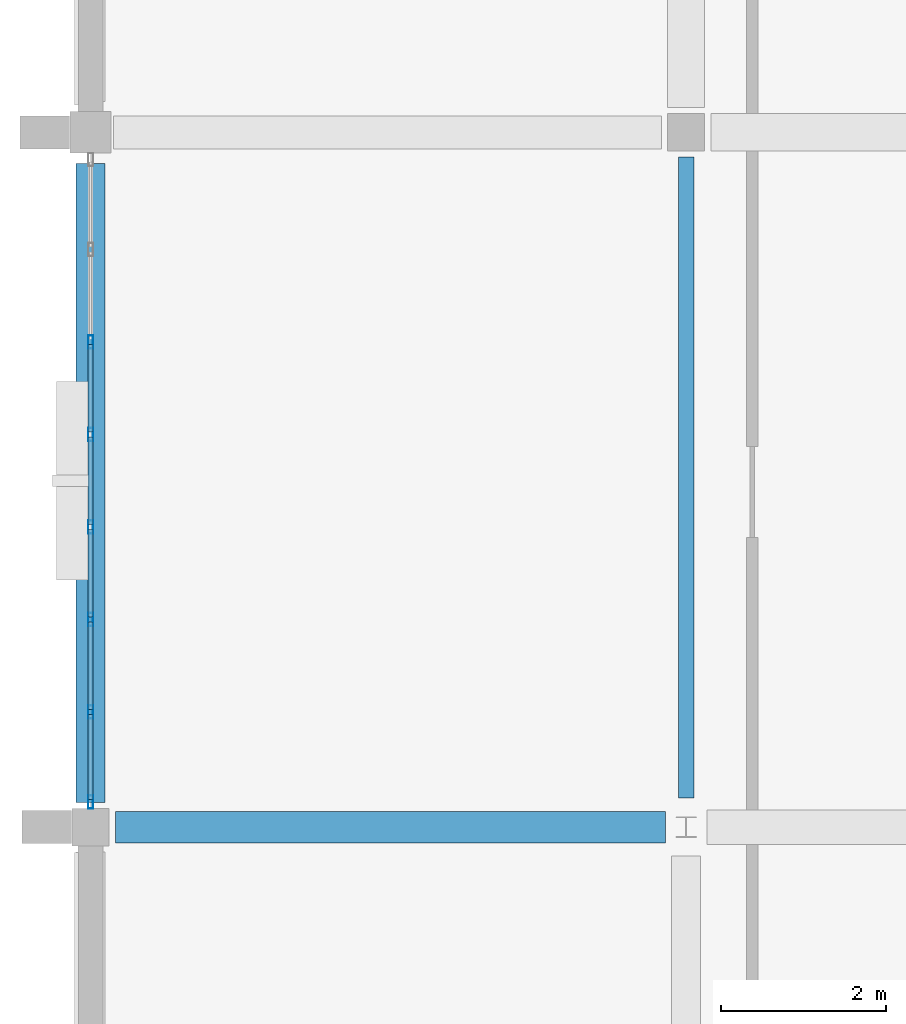
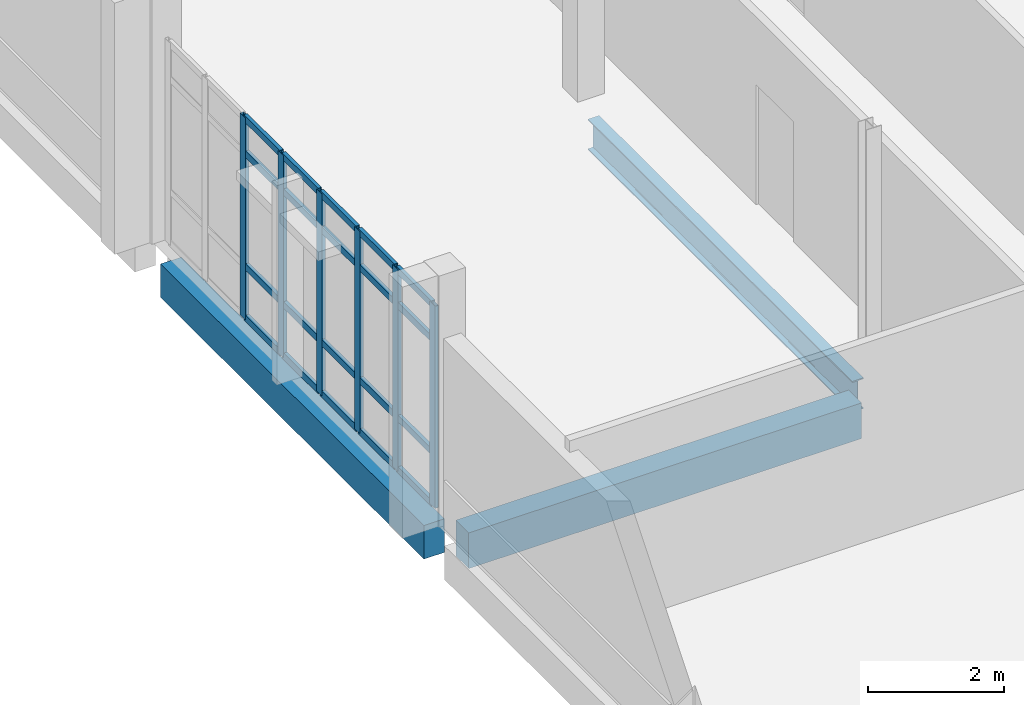
# One storey, part 20 of 62: 26 members, 3 beams, 1 element without a shape of its own.
"""IFC4 building model written with IfcOpenShell, lengths in metres."""

import ifcopenshell
import ifcopenshell.guid

model = None  # the IFC model being written
_history = None  # IfcOwnerHistory: only IFC2X3 demands one
_inside = {}  # id of a spatial element -> (the spatial element, [elements in it])
_under = {}  # id of a project, library or spatial element -> (it, [spatial elements below it])
_declared = {}  # id of a project -> (the project, [libraries it declares])
_typed = {}  # id of a type object -> (the type object, [elements of that type])
_made_of = {}  # id of a material, layer set ... -> (it, [elements and type objects made of it])


def new_model(schema):
    """Start an empty IFC model of exactly this schema.

    Asked for "IFC4X3", IfcOpenShell would pick the latest addendum, in which some entities
    have other attributes; the version numbers below select the first issue.
    IFC2X3 requires an IfcOwnerHistory on every rooted entity: one is made here for all.
    """
    global model, _history
    if schema == "IFC4X3":
        model = ifcopenshell.file(schema_version=(4, 3, 0, 0))
    else:
        model = ifcopenshell.file(schema=schema)
    _inside.clear()
    _under.clear()
    _declared.clear()
    _typed.clear()
    _made_of.clear()
    _history = None
    if model.schema == "IFC2X3":
        org = make("IfcOrganization", Name="unknown")
        user = make(
            "IfcPersonAndOrganization",
            ThePerson=make("IfcPerson", FamilyName="unknown"),
            TheOrganization=org,
        )
        app = make(
            "IfcApplication",
            ApplicationDeveloper=org,
            Version="unknown",
            ApplicationFullName="unknown",
            ApplicationIdentifier="unknown",
        )
        _history = make(
            "IfcOwnerHistory",
            OwningUser=user,
            OwningApplication=app,
            ChangeAction="ADDED",
            CreationDate=0,
        )
    return model


def make(cls, **values):
    """One entity of the class cls with the attributes given. An attribute that is None is left unset."""
    return model.create_entity(
        cls, **{name: value for name, value in values.items() if value is not None}
    )


def rooted(cls, **values):
    """An entity with a GlobalId (a new one), such as an element, a storey or a relation."""
    return make(cls, GlobalId=ifcopenshell.guid.new(), OwnerHistory=_history, **values)


def si_unit(unit_type, name, prefix=None):
    """IfcSIUnit, for example si_unit("LENGTHUNIT", "METRE", prefix="MILLI")."""
    return make("IfcSIUnit", UnitType=unit_type, Prefix=prefix, Name=name)


def assignment(units):
    """IfcUnitAssignment: the units of a project."""
    return None if units is None else make("IfcUnitAssignment", Units=units)


def point(xyz):
    """IfcCartesianPoint."""
    return None if xyz is None else make("IfcCartesianPoint", Coordinates=xyz)


def direction(xyz):
    """IfcDirection."""
    return None if xyz is None else make("IfcDirection", DirectionRatios=xyz)


def frame(location, z_axis=None, x_axis=None):
    """IfcAxis2Placement3D, a coordinate frame: its origin and axes. An axis left out is left unset."""
    return make(
        "IfcAxis2Placement3D",
        Location=point(location),
        Axis=direction(z_axis),
        RefDirection=direction(x_axis),
    )


def frame_2d(location, x_axis=None):
    """IfcAxis2Placement2D, a coordinate frame in the plane: its origin and x axis."""
    return make(
        "IfcAxis2Placement2D", Location=point(location), RefDirection=direction(x_axis)
    )


def origin():
    """The frame at (0, 0, 0) with its axes left unset."""
    return frame((0.0, 0.0, 0.0))


def origin_2d():
    """The frame at (0, 0) in the plane with its x axis left unset."""
    return frame_2d((0.0, 0.0))


def place(relative_to, where):
    """IfcLocalPlacement: puts the frame where relative to a parent placement (None: the world)."""
    return make(
        "IfcLocalPlacement", PlacementRelTo=relative_to, RelativePlacement=where
    )


def context(
    kind, dimensions, precision=None, world=None, true_north=None, identifier=None
):
    """IfcGeometricRepresentationContext, for example the 3D "Model" context."""
    return make(
        "IfcGeometricRepresentationContext",
        ContextIdentifier=identifier,
        ContextType=kind,
        CoordinateSpaceDimension=dimensions,
        Precision=precision,
        WorldCoordinateSystem=world,
        TrueNorth=true_north,
    )


def subcontext(parent, identifier, kind, view, scale=None):
    """IfcGeometricRepresentationSubContext, for example "Body" below "Model"."""
    return make(
        "IfcGeometricRepresentationSubContext",
        ContextIdentifier=identifier,
        ContextType=kind,
        ParentContext=parent,
        TargetScale=scale,
        TargetView=view,
    )


def project(units=None, contexts=None):
    """IfcProject with its units and contexts."""
    return rooted(
        "IfcProject",
        Name="project",
        RepresentationContexts=contexts,
        UnitsInContext=assignment(units),
    )


def spatial(cls, under=None, at=None, **own):
    """A site, building, storey or space (cls), placed at a placement, below another one or the project."""
    s = rooted(cls, ObjectPlacement=at, **own)
    if under is not None:
        _under.setdefault(under.id(), (under, []))[1].append(s)
    return s


def profile(cls, at=None, kind="AREA", **sizes):
    """A parametric profile (cls). Its sizes go by their IFC names, for example OverallWidth=200.0."""
    return make(cls, ProfileType=kind, Position=at, **sizes)


def rectangle(**sizes):
    """IfcRectangleProfileDef."""
    return profile("IfcRectangleProfileDef", **sizes)


def hollow_rectangle(**sizes):
    """IfcRectangleHollowProfileDef."""
    return profile("IfcRectangleHollowProfileDef", **sizes)


def i_section(**sizes):
    """IfcIShapeProfileDef."""
    return profile("IfcIShapeProfileDef", **sizes)


def extrude(swept, where, along, depth):
    """IfcExtrudedAreaSolid: the profile swept, set in the frame where, extruded along a direction by depth."""
    return make(
        "IfcExtrudedAreaSolid",
        SweptArea=swept,
        Position=where,
        ExtrudedDirection=direction(along),
        Depth=depth,
    )


def shape(context_of_items, identifier, shape_type, items):
    """IfcShapeRepresentation: the items that make up one representation, for example the "Body"."""
    return make(
        "IfcShapeRepresentation",
        ContextOfItems=context_of_items,
        RepresentationIdentifier=identifier,
        RepresentationType=shape_type,
        Items=items,
    )


def material(Name=None, Category=None):
    """IfcMaterial."""
    return make("IfcMaterial", Name=Name, Category=Category)


def material_profile(
    of_material, cross_section, Name=None, Category=None, Priority=None
):
    """IfcMaterialProfile: a cross section and its material."""
    return make(
        "IfcMaterialProfile",
        Name=Name,
        Material=of_material,
        Profile=cross_section,
        Priority=Priority,
        Category=Category,
    )


def profile_set(profiles, Name=None, composite=None):
    """IfcMaterialProfileSet."""
    return make(
        "IfcMaterialProfileSet",
        Name=Name,
        MaterialProfiles=profiles,
        CompositeProfile=composite,
    )


def made_of(thing, what):
    """Note that an element or type object is made of a material, layer set ...; save() writes the relation."""
    if what is not None:
        _made_of.setdefault(what.id(), (what, []))[1].append(thing)
    return thing


def type_object(cls, material=None, **own):
    """A type object (cls), such as IfcWallType, which elements share."""
    return made_of(rooted(cls, **own), material)


def element(
    cls,
    number,
    at=None,
    inside=None,
    cuts=None,
    type_object=None,
    material=None,
    context=None,
    identifier="Body",
    shape_type=None,
    held_by="IfcProductDefinitionShape",
    body=None,
    shapes=None,
    **own,
):
    """One element of the class cls, such as IfcWall. Its Tag is "e" and its number.

    at: its placement. inside: the storey or other place that contains it. cuts: it is an
    opening in that element (IfcRelVoidsElement). A single representation is given by context,
    identifier, shape_type and body (its items); several are given by shapes. held_by: the class
    of the entity that holds the representations. save() writes the other relations.
    """
    e = rooted(cls, Tag="e%d" % number, ObjectPlacement=at, **own)
    if body is not None:
        shapes = [shape(context, identifier, shape_type, body)]
    if shapes is not None:
        e.Representation = make(held_by, Representations=shapes)
    if inside is not None:
        _inside.setdefault(inside.id(), (inside, []))[1].append(e)
    if cuts is not None:
        rooted(
            "IfcRelVoidsElement", RelatingBuildingElement=cuts, RelatedOpeningElement=e
        )
    if type_object is not None:
        _typed.setdefault(type_object.id(), (type_object, []))[1].append(e)
    return made_of(e, material)


def aggregate(whole, parts):
    """IfcRelAggregates: a whole, such as a stair, and the parts it consists of."""
    return rooted("IfcRelAggregates", RelatingObject=whole, RelatedObjects=parts)


def save(model, path):
    """Write the relations noted so far, then the file.

    IfcRelAggregates (storeys below a building ...), IfcRelContainedInSpatialStructure (elements
    in a storey), IfcRelDefinesByType, IfcRelAssociatesMaterial and IfcRelDeclares: one each for
    every whole, place, type object, material and project.
    """
    for whole, parts in _under.values():
        aggregate(whole, parts)
    for where, things in _inside.values():
        rooted(
            "IfcRelContainedInSpatialStructure",
            RelatedElements=things,
            RelatingStructure=where,
        )
    for kind, things in _typed.values():
        rooted("IfcRelDefinesByType", RelatedObjects=things, RelatingType=kind)
    for what, things in _made_of.values():
        rooted("IfcRelAssociatesMaterial", RelatedObjects=things, RelatingMaterial=what)
    for by, libraries in _declared.values():
        rooted("IfcRelDeclares", RelatingContext=by, RelatedDefinitions=libraries)
    model.write(path)


model = new_model("IFC4")

# Units and contexts
model_context = context("Model", 3, precision=1e-05, world=origin(), true_north=direction((0.0, 1.0)))
body_context = subcontext(model_context, "Body", "Model", "MODEL_VIEW")
ifc_project = project(units=[si_unit("LENGTHUNIT", "METRE"), si_unit("AREAUNIT", "SQUARE_METRE"), si_unit("VOLUMEUNIT", "CUBIC_METRE"), si_unit("PLANEANGLEUNIT", "RADIAN"), si_unit("MASSUNIT", "GRAM", prefix="KILO")], contexts=[model_context])

# Site, building, storey
site_placement = place(None, origin())
site = spatial("IfcSite", under=ifc_project, at=site_placement, CompositionType="ELEMENT")
building_placement = place(site_placement, origin())
building = spatial("IfcBuilding", under=site, at=building_placement, Name="Kalluvel Institute of Natural Sciences", CompositionType="ELEMENT")
storey_placement = place(building_placement, frame((0.0, 0.0, 27.89990234375)))
storey = spatial("IfcBuildingStorey", under=building, at=storey_placement, Name="L06", CompositionType="ELEMENT", Elevation=27.89990234375)

# Beams
ifc_material_1 = material(Name="Steel E350 Grade 350", Category="steel")
ifc_material_profile_1 = material_profile(ifc_material_1, i_section(OverallWidth=0.18994140625, OverallDepth=0.550048828125, WebThickness=0.01123046875, FlangeThickness=0.019287109375, FilletRadius=0.01806640625, at=origin_2d()), Name="ISMB 550")
ifc_profile_set_1 = profile_set([ifc_material_profile_1], Name="Steel E350 Grade 350")
beam_type_1 = type_object("IfcBeamType", Name="BM-ISMB550", PredefinedType="BEAM", material=ifc_profile_set_1)
beam_1_placement = place(storey_placement, frame((21.199951171875, 86.35009765625, -0.574951171875), z_axis=(0.0, 1.0, 0.0), x_axis=(-1.0, 0.0, 0.0)))
element("IfcBeam", 1, at=beam_1_placement, inside=storey, type_object=beam_type_1, Name="L06 girder GIR-L06-NS-X212-Y860", PredefinedType="BEAM", context=body_context, shape_type="SweptSolid", body=[
    extrude(i_section(OverallWidth=0.18994140625, OverallDepth=0.550048828125, WebThickness=0.01123046875, FlangeThickness=0.019287109375, FilletRadius=0.01806640625, at=origin_2d()), origin(), (0.0, 0.0, 1.0), 7.75),
])
ifc_material_2 = material(Name="Concrete M40", Category="concrete")
ifc_material_profile_2 = material_profile(ifc_material_2, rectangle(XDim=0.3798828125, YDim=0.639892578125, at=origin_2d()), Name="RCB 380x640")
ifc_profile_set_2 = profile_set([ifc_material_profile_2], Name="Concrete M40")
beam_type_2 = type_object("IfcBeamType", Name="BM-RC380x640", PredefinedType="BEAM", material=ifc_profile_set_2)
beam_2_placement = place(storey_placement, frame((14.300048828125, 86.0, -0.619873046875), z_axis=(1.0, 0.0, 0.0), x_axis=(0.0, 1.0, 0.0)))
element("IfcBeam", 2, at=beam_2_placement, inside=storey, type_object=beam_type_2, Name="L06 girder GIR-L06-EW-X140-Y860", PredefinedType="BEAM", context=body_context, shape_type="SweptSolid", body=[
    extrude(rectangle(XDim=0.3798828125, YDim=0.639892578125, at=origin_2d()), origin(), (0.0, 0.0, 1.0), 6.64990234375),
])

# Curtain wall, members
ifc_material_3 = material(Name="Aluminium AW-6063 T6", Category="aluminium")
curtain_wall_type = type_object("IfcCurtainWallType", Name="CW-DRY-45", PredefinedType="USERDEFINED", material=ifc_material_3)
curtain_wall_placement = place(storey_placement, origin())
curtain_wall = element("IfcCurtainWall", 3, at=curtain_wall_placement, inside=storey, type_object=curtain_wall_type, Name="L06 Gothic lancet curtain wall CWA-L06-X140-Y863", ObjectType="UNITISED LANCET FACADE", PredefinedType="USERDEFINED")
ifc_material_profile_3 = material_profile(ifc_material_3, hollow_rectangle(XDim=0.06005859375, YDim=0.159912109375, WallThickness=0.00390625, at=origin_2d()), Name="CWM 60x160")
ifc_profile_set_3 = profile_set([ifc_material_profile_3], Name="Aluminium AW-6063 T6")
member_type_1 = type_object("IfcMemberType", Name="CWM-60x160", PredefinedType="MULLION", material=ifc_profile_set_3)
member_1_placement = place(storey_placement, frame((14.0, 86.304931640625, 0.0), z_axis=(0.0, 0.0, 1.0), x_axis=(-1.0, 0.0, 0.0)))
member_1 = element("IfcMember", 4, at=member_1_placement, type_object=member_type_1, Name="CW-03 mullion 1", PredefinedType="MULLION", context=body_context, shape_type="SweptSolid", body=[
    extrude(hollow_rectangle(XDim=0.06005859375, YDim=0.159912109375, WallThickness=0.00390625, at=origin_2d()), origin(), (0.0, 0.0, 1.0), 3.6201171875),
])
member_2_placement = place(storey_placement, frame((14.0, 87.392822265625, 0.0), z_axis=(0.0, 0.0, 1.0), x_axis=(-1.0, 0.0, 0.0)))
member_2 = element("IfcMember", 5, at=member_2_placement, type_object=member_type_1, Name="CW-03 mullion 2", PredefinedType="MULLION", context=body_context, shape_type="SweptSolid", body=[
    extrude(hollow_rectangle(XDim=0.06005859375, YDim=0.159912109375, WallThickness=0.00390625, at=origin_2d()), origin(), (0.0, 0.0, 1.0), 3.6201171875),
])
member_3_placement = place(storey_placement, frame((14.0, 88.5107421875, 0.0), z_axis=(0.0, 0.0, 1.0), x_axis=(-1.0, 0.0, 0.0)))
member_3 = element("IfcMember", 6, at=member_3_placement, type_object=member_type_1, Name="CW-03 mullion 3", PredefinedType="MULLION", context=body_context, shape_type="SweptSolid", body=[
    extrude(hollow_rectangle(XDim=0.06005859375, YDim=0.159912109375, WallThickness=0.00390625, at=origin_2d()), origin(), (0.0, 0.0, 1.0), 3.6201171875),
])
member_4_placement = place(storey_placement, frame((14.0, 89.628662109375, 0.0), z_axis=(0.0, 0.0, 1.0), x_axis=(-1.0, 0.0, 0.0)))
member_4 = element("IfcMember", 7, at=member_4_placement, type_object=member_type_1, Name="CW-03 mullion 4", PredefinedType="MULLION", context=body_context, shape_type="SweptSolid", body=[
    extrude(hollow_rectangle(XDim=0.06005859375, YDim=0.159912109375, WallThickness=0.00390625, at=origin_2d()), origin(), (0.0, 0.0, 1.0), 3.6201171875),
])
member_5_placement = place(storey_placement, frame((14.0, 90.746337890625, 0.0), z_axis=(0.0, 0.0, 1.0), x_axis=(-1.0, 0.0, 0.0)))
member_5 = element("IfcMember", 8, at=member_5_placement, type_object=member_type_1, Name="CW-03 mullion 5", PredefinedType="MULLION", context=body_context, shape_type="SweptSolid", body=[
    extrude(hollow_rectangle(XDim=0.06005859375, YDim=0.159912109375, WallThickness=0.00390625, at=origin_2d()), origin(), (0.0, 0.0, 1.0), 3.6201171875),
])
member_6_placement = place(storey_placement, frame((14.0, 91.8642578125, 0.0), z_axis=(0.0, 0.0, 1.0), x_axis=(-1.0, 0.0, 0.0)))
member_6 = element("IfcMember", 9, at=member_6_placement, type_object=member_type_1, Name="CW-03 mullion 6", PredefinedType="MULLION", context=body_context, shape_type="SweptSolid", body=[
    extrude(hollow_rectangle(XDim=0.06005859375, YDim=0.159912109375, WallThickness=0.00390625, at=origin_2d()), origin(), (0.0, 0.0, 1.0), 3.6201171875),
])
ifc_material_profile_4 = material_profile(ifc_material_3, hollow_rectangle(XDim=0.06005859375, YDim=0.1201171875, WallThickness=0.00390625, at=origin_2d()), Name="CWT 60x120")
ifc_profile_set_4 = profile_set([ifc_material_profile_4], Name="Aluminium AW-6063 T6")
member_type_2 = type_object("IfcMemberType", Name="CWT-60x120", PredefinedType="USERDEFINED", material=ifc_profile_set_4)
member_7_placement = place(storey_placement, frame((14.0, 86.3349609375, 0.030029296875), z_axis=(0.0, 1.0, 0.0), x_axis=(-1.0, 0.0, 0.0)))
member_7 = element("IfcMember", 10, at=member_7_placement, type_object=member_type_2, Name="CW-03 transom 1.1", ObjectType="TRANSOM", PredefinedType="USERDEFINED", context=body_context, shape_type="SweptSolid", body=[
    extrude(hollow_rectangle(XDim=0.06005859375, YDim=0.1201171875, WallThickness=0.00390625, at=origin_2d()), origin(), (0.0, 0.0, 1.0), 1.02783203125),
])
member_8_placement = place(storey_placement, frame((14.0, 86.3349609375, 0.9501953125), z_axis=(0.0, 1.0, 0.0), x_axis=(-1.0, 0.0, 0.0)))
member_8 = element("IfcMember", 11, at=member_8_placement, type_object=member_type_2, Name="CW-03 transom 1.2", ObjectType="TRANSOM", PredefinedType="USERDEFINED", context=body_context, shape_type="SweptSolid", body=[
    extrude(hollow_rectangle(XDim=0.06005859375, YDim=0.1201171875, WallThickness=0.00390625, at=origin_2d()), origin(), (0.0, 0.0, 1.0), 1.02783203125),
])
member_9_placement = place(storey_placement, frame((14.0, 86.3349609375, 2.97021484375), z_axis=(0.0, 1.0, 0.0), x_axis=(-1.0, 0.0, 0.0)))
member_9 = element("IfcMember", 12, at=member_9_placement, type_object=member_type_2, Name="CW-03 transom 1.3", ObjectType="TRANSOM", PredefinedType="USERDEFINED", context=body_context, shape_type="SweptSolid", body=[
    extrude(hollow_rectangle(XDim=0.06005859375, YDim=0.1201171875, WallThickness=0.00390625, at=origin_2d()), origin(), (0.0, 0.0, 1.0), 1.02783203125),
])
member_10_placement = place(storey_placement, frame((14.0, 86.3349609375, 3.590087890625), z_axis=(0.0, 1.0, 0.0), x_axis=(-1.0, 0.0, 0.0)))
member_10 = element("IfcMember", 13, at=member_10_placement, type_object=member_type_2, Name="CW-03 transom 1.4", ObjectType="TRANSOM", PredefinedType="USERDEFINED", context=body_context, shape_type="SweptSolid", body=[
    extrude(hollow_rectangle(XDim=0.06005859375, YDim=0.1201171875, WallThickness=0.00390625, at=origin_2d()), origin(), (0.0, 0.0, 1.0), 1.02783203125),
])
member_11_placement = place(storey_placement, frame((14.0, 87.4228515625, 0.030029296875), z_axis=(0.0, 1.0, 0.0), x_axis=(-1.0, 0.0, 0.0)))
member_11 = element("IfcMember", 14, at=member_11_placement, type_object=member_type_2, Name="CW-03 transom 2.1", ObjectType="TRANSOM", PredefinedType="USERDEFINED", context=body_context, shape_type="SweptSolid", body=[
    extrude(hollow_rectangle(XDim=0.06005859375, YDim=0.1201171875, WallThickness=0.00390625, at=origin_2d()), origin(), (0.0, 0.0, 1.0), 1.057861328125),
])
member_12_placement = place(storey_placement, frame((14.0, 87.4228515625, 0.9501953125), z_axis=(0.0, 1.0, 0.0), x_axis=(-1.0, 0.0, 0.0)))
member_12 = element("IfcMember", 15, at=member_12_placement, type_object=member_type_2, Name="CW-03 transom 2.2", ObjectType="TRANSOM", PredefinedType="USERDEFINED", context=body_context, shape_type="SweptSolid", body=[
    extrude(hollow_rectangle(XDim=0.06005859375, YDim=0.1201171875, WallThickness=0.00390625, at=origin_2d()), origin(), (0.0, 0.0, 1.0), 1.057861328125),
])
member_13_placement = place(storey_placement, frame((14.0, 87.4228515625, 2.97021484375), z_axis=(0.0, 1.0, 0.0), x_axis=(-1.0, 0.0, 0.0)))
member_13 = element("IfcMember", 16, at=member_13_placement, type_object=member_type_2, Name="CW-03 transom 2.3", ObjectType="TRANSOM", PredefinedType="USERDEFINED", context=body_context, shape_type="SweptSolid", body=[
    extrude(hollow_rectangle(XDim=0.06005859375, YDim=0.1201171875, WallThickness=0.00390625, at=origin_2d()), origin(), (0.0, 0.0, 1.0), 1.057861328125),
])
member_14_placement = place(storey_placement, frame((14.0, 87.4228515625, 3.590087890625), z_axis=(0.0, 1.0, 0.0), x_axis=(-1.0, 0.0, 0.0)))
member_14 = element("IfcMember", 17, at=member_14_placement, type_object=member_type_2, Name="CW-03 transom 2.4", ObjectType="TRANSOM", PredefinedType="USERDEFINED", context=body_context, shape_type="SweptSolid", body=[
    extrude(hollow_rectangle(XDim=0.06005859375, YDim=0.1201171875, WallThickness=0.00390625, at=origin_2d()), origin(), (0.0, 0.0, 1.0), 1.057861328125),
])
member_15_placement = place(storey_placement, frame((14.0, 88.540771484375, 0.030029296875), z_axis=(0.0, 1.0, 0.0), x_axis=(-1.0, 0.0, 0.0)))
member_15 = element("IfcMember", 18, at=member_15_placement, type_object=member_type_2, Name="CW-03 transom 3.1", ObjectType="TRANSOM", PredefinedType="USERDEFINED", context=body_context, shape_type="SweptSolid", body=[
    extrude(hollow_rectangle(XDim=0.06005859375, YDim=0.1201171875, WallThickness=0.00390625, at=origin_2d()), origin(), (0.0, 0.0, 1.0), 1.057861328125),
])
member_16_placement = place(storey_placement, frame((14.0, 88.540771484375, 0.9501953125), z_axis=(0.0, 1.0, 0.0), x_axis=(-1.0, 0.0, 0.0)))
member_16 = element("IfcMember", 19, at=member_16_placement, type_object=member_type_2, Name="CW-03 transom 3.2", ObjectType="TRANSOM", PredefinedType="USERDEFINED", context=body_context, shape_type="SweptSolid", body=[
    extrude(hollow_rectangle(XDim=0.06005859375, YDim=0.1201171875, WallThickness=0.00390625, at=origin_2d()), origin(), (0.0, 0.0, 1.0), 1.057861328125),
])
member_17_placement = place(storey_placement, frame((14.0, 88.540771484375, 2.97021484375), z_axis=(0.0, 1.0, 0.0), x_axis=(-1.0, 0.0, 0.0)))
member_17 = element("IfcMember", 20, at=member_17_placement, type_object=member_type_2, Name="CW-03 transom 3.3", ObjectType="TRANSOM", PredefinedType="USERDEFINED", context=body_context, shape_type="SweptSolid", body=[
    extrude(hollow_rectangle(XDim=0.06005859375, YDim=0.1201171875, WallThickness=0.00390625, at=origin_2d()), origin(), (0.0, 0.0, 1.0), 1.057861328125),
])
member_18_placement = place(storey_placement, frame((14.0, 88.540771484375, 3.590087890625), z_axis=(0.0, 1.0, 0.0), x_axis=(-1.0, 0.0, 0.0)))
member_18 = element("IfcMember", 21, at=member_18_placement, type_object=member_type_2, Name="CW-03 transom 3.4", ObjectType="TRANSOM", PredefinedType="USERDEFINED", context=body_context, shape_type="SweptSolid", body=[
    extrude(hollow_rectangle(XDim=0.06005859375, YDim=0.1201171875, WallThickness=0.00390625, at=origin_2d()), origin(), (0.0, 0.0, 1.0), 1.057861328125),
])
member_19_placement = place(storey_placement, frame((14.0, 89.65869140625, 0.030029296875), z_axis=(0.0, 1.0, 0.0), x_axis=(-1.0, 0.0, 0.0)))
member_19 = element("IfcMember", 22, at=member_19_placement, type_object=member_type_2, Name="CW-03 transom 4.1", ObjectType="TRANSOM", PredefinedType="USERDEFINED", context=body_context, shape_type="SweptSolid", body=[
    extrude(hollow_rectangle(XDim=0.06005859375, YDim=0.1201171875, WallThickness=0.00390625, at=origin_2d()), origin(), (0.0, 0.0, 1.0), 1.0576171875),
])
member_20_placement = place(storey_placement, frame((14.0, 89.65869140625, 0.9501953125), z_axis=(0.0, 1.0, 0.0), x_axis=(-1.0, 0.0, 0.0)))
member_20 = element("IfcMember", 23, at=member_20_placement, type_object=member_type_2, Name="CW-03 transom 4.2", ObjectType="TRANSOM", PredefinedType="USERDEFINED", context=body_context, shape_type="SweptSolid", body=[
    extrude(hollow_rectangle(XDim=0.06005859375, YDim=0.1201171875, WallThickness=0.00390625, at=origin_2d()), origin(), (0.0, 0.0, 1.0), 1.0576171875),
])
member_21_placement = place(storey_placement, frame((14.0, 89.65869140625, 2.97021484375), z_axis=(0.0, 1.0, 0.0), x_axis=(-1.0, 0.0, 0.0)))
member_21 = element("IfcMember", 24, at=member_21_placement, type_object=member_type_2, Name="CW-03 transom 4.3", ObjectType="TRANSOM", PredefinedType="USERDEFINED", context=body_context, shape_type="SweptSolid", body=[
    extrude(hollow_rectangle(XDim=0.06005859375, YDim=0.1201171875, WallThickness=0.00390625, at=origin_2d()), origin(), (0.0, 0.0, 1.0), 1.0576171875),
])
member_22_placement = place(storey_placement, frame((14.0, 89.65869140625, 3.590087890625), z_axis=(0.0, 1.0, 0.0), x_axis=(-1.0, 0.0, 0.0)))
member_22 = element("IfcMember", 25, at=member_22_placement, type_object=member_type_2, Name="CW-03 transom 4.4", ObjectType="TRANSOM", PredefinedType="USERDEFINED", context=body_context, shape_type="SweptSolid", body=[
    extrude(hollow_rectangle(XDim=0.06005859375, YDim=0.1201171875, WallThickness=0.00390625, at=origin_2d()), origin(), (0.0, 0.0, 1.0), 1.0576171875),
])
member_23_placement = place(storey_placement, frame((14.0, 90.7763671875, 0.030029296875), z_axis=(0.0, 1.0, 0.0), x_axis=(-1.0, 0.0, 0.0)))
member_23 = element("IfcMember", 26, at=member_23_placement, type_object=member_type_2, Name="CW-03 transom 5.1", ObjectType="TRANSOM", PredefinedType="USERDEFINED", context=body_context, shape_type="SweptSolid", body=[
    extrude(hollow_rectangle(XDim=0.06005859375, YDim=0.1201171875, WallThickness=0.00390625, at=origin_2d()), origin(), (0.0, 0.0, 1.0), 1.057861328125),
])
member_24_placement = place(storey_placement, frame((14.0, 90.7763671875, 0.9501953125), z_axis=(0.0, 1.0, 0.0), x_axis=(-1.0, 0.0, 0.0)))
member_24 = element("IfcMember", 27, at=member_24_placement, type_object=member_type_2, Name="CW-03 transom 5.2", ObjectType="TRANSOM", PredefinedType="USERDEFINED", context=body_context, shape_type="SweptSolid", body=[
    extrude(hollow_rectangle(XDim=0.06005859375, YDim=0.1201171875, WallThickness=0.00390625, at=origin_2d()), origin(), (0.0, 0.0, 1.0), 1.057861328125),
])
member_25_placement = place(storey_placement, frame((14.0, 90.7763671875, 2.97021484375), z_axis=(0.0, 1.0, 0.0), x_axis=(-1.0, 0.0, 0.0)))
member_25 = element("IfcMember", 28, at=member_25_placement, type_object=member_type_2, Name="CW-03 transom 5.3", ObjectType="TRANSOM", PredefinedType="USERDEFINED", context=body_context, shape_type="SweptSolid", body=[
    extrude(hollow_rectangle(XDim=0.06005859375, YDim=0.1201171875, WallThickness=0.00390625, at=origin_2d()), origin(), (0.0, 0.0, 1.0), 1.057861328125),
])
member_26_placement = place(storey_placement, frame((14.0, 90.7763671875, 3.590087890625), z_axis=(0.0, 1.0, 0.0), x_axis=(-1.0, 0.0, 0.0)))
member_26 = element("IfcMember", 29, at=member_26_placement, type_object=member_type_2, Name="CW-03 transom 5.4", ObjectType="TRANSOM", PredefinedType="USERDEFINED", context=body_context, shape_type="SweptSolid", body=[
    extrude(hollow_rectangle(XDim=0.06005859375, YDim=0.1201171875, WallThickness=0.00390625, at=origin_2d()), origin(), (0.0, 0.0, 1.0), 1.057861328125),
])
aggregate(curtain_wall, [member_1, member_2, member_3, member_4, member_5, member_6, member_7, member_8, member_9, member_10, member_11, member_12, member_13, member_14, member_15, member_16, member_17, member_18, member_19, member_20, member_21, member_22, member_23, member_24, member_25, member_26])

# Beam
ifc_material_profile_5 = material_profile(ifc_material_2, rectangle(XDim=0.35009765625, YDim=0.60009765625, at=origin_2d()), Name="RCB 350x600")
ifc_profile_set_5 = profile_set([ifc_material_profile_5], Name="Concrete M40")
beam_type_3 = type_object("IfcBeamType", Name="SP-RC350x600", PredefinedType="SPANDREL", material=ifc_profile_set_5)
beam_3_placement = place(storey_placement, frame((14.0, 86.300048828125, -0.599853515625), z_axis=(0.0, 1.0, 0.0), x_axis=(-1.0, 0.0, 0.0)))
element("IfcBeam", 30, at=beam_3_placement, inside=storey, type_object=beam_type_3, Name="L06 girder GIR-L06-NS-X140-Y860", PredefinedType="SPANDREL", context=body_context, shape_type="SweptSolid", body=[
    extrude(rectangle(XDim=0.35009765625, YDim=0.60009765625, at=origin_2d()), origin(), (0.0, 0.0, 1.0), 7.724853515625),
])

save(model, "model.ifc")
